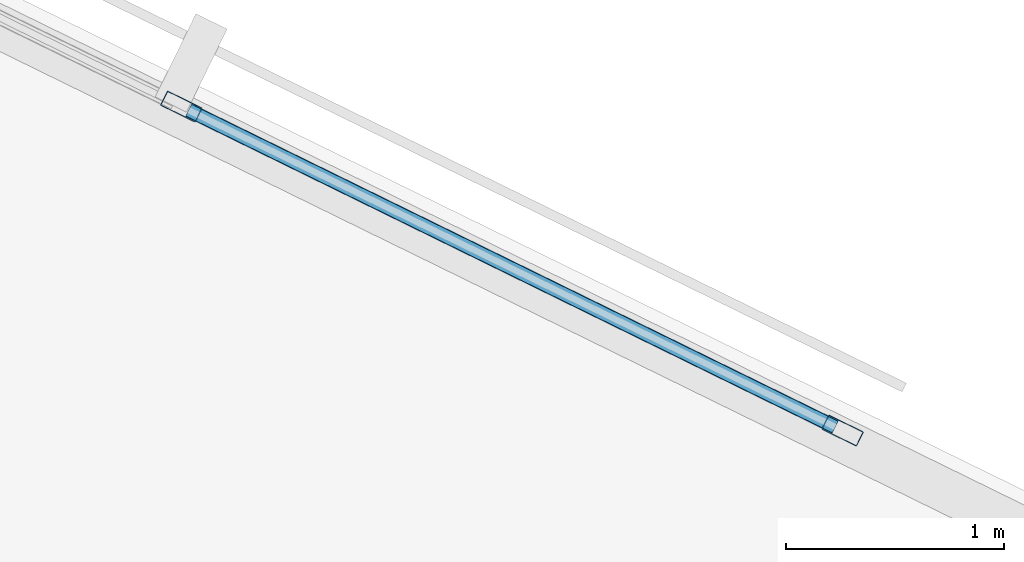
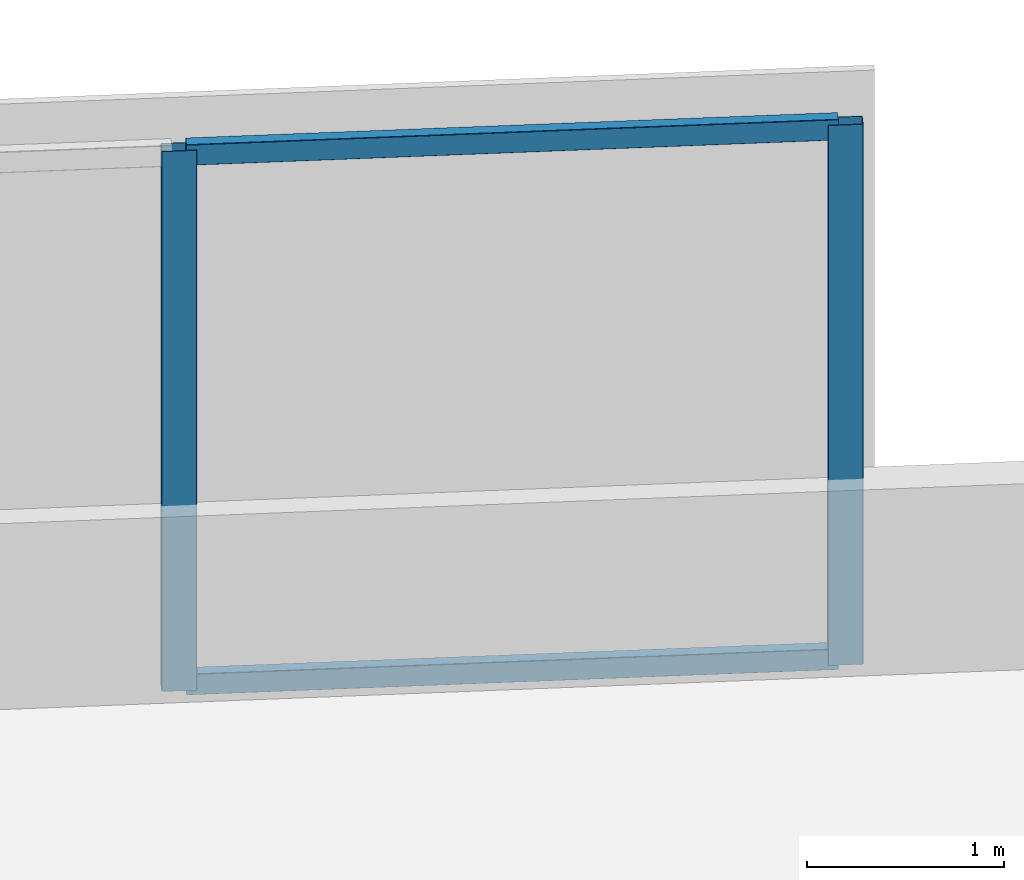
# One storey, part 2 of 19: 4 members, 1 element without a shape of its own.
"""IFC4 building model written with IfcOpenShell, lengths in metres."""

from ifc_helpers import new_model, si_unit, direction, frame, origin, origin_2d, place, context, subcontext, project, spatial, hollow_rectangle, extrude, material, material_profile, profile_set, type_object, element, aggregate, save


model = new_model("IFC4")

# Units and contexts
model_context = context("Model", 3, precision=1e-05, world=origin(), true_north=direction((0.0, 1.0)))
body_context = subcontext(model_context, "Body", "Model", "MODEL_VIEW")
ifc_project = project(units=[si_unit("LENGTHUNIT", "METRE"), si_unit("AREAUNIT", "SQUARE_METRE"), si_unit("VOLUMEUNIT", "CUBIC_METRE"), si_unit("PLANEANGLEUNIT", "RADIAN"), si_unit("MASSUNIT", "GRAM", prefix="KILO")], contexts=[model_context])

# Site, building, storey
site_placement = place(None, origin())
site = spatial("IfcSite", under=ifc_project, at=site_placement, CompositionType="ELEMENT")
building_placement = place(site_placement, origin())
building = spatial("IfcBuilding", under=site, at=building_placement, Name="Narakoshi Arena Tower", CompositionType="ELEMENT")
storey_placement = place(building_placement, frame((0.0, 0.0, 117.300048828125)))
storey = spatial("IfcBuildingStorey", under=building, at=storey_placement, Name="L31", CompositionType="ELEMENT", Elevation=117.300048828125)

# Curtain wall, members
ifc_material = material(Name="Anodised bronze aluminium 6063-T6", Category="aluminium")
curtain_wall_type = type_object("IfcCurtainWallType", Name="CW-HYP-LOW", PredefinedType="NOTDEFINED", material=ifc_material)
curtain_wall_placement = place(storey_placement, origin())
curtain_wall = element("IfcCurtainWall", 1, at=curtain_wall_placement, inside=storey, type_object=curtain_wall_type, Name="L31 Folded Hypotenuse Curtain Wall 2-1", PredefinedType="NOTDEFINED")
ifc_material_profile_1 = material_profile(ifc_material, hollow_rectangle(XDim=0.074951171875, YDim=0.179931640625, WallThickness=0.00390625, OuterFilletRadius=0.0048828125, at=origin_2d()), Name="MUL180x75x4")
ifc_profile_set_1 = profile_set([ifc_material_profile_1], Name="Anodised bronze aluminium 6063-T6")
member_type_1 = type_object("IfcMemberType", Name="MEM-MUL-180", PredefinedType="MULLION", material=ifc_profile_set_1)
member_1_placement = place(storey_placement, frame((87.598876953125, 62.51513671875, 0.0), z_axis=(0.0, 0.0, 1.0), x_axis=(-0.440004510198, -0.89799556291, 0.0)))
member_1 = element("IfcMember", 2, at=member_1_placement, type_object=member_type_1, Name="CW-01 mullion 1", PredefinedType="MULLION", context=body_context, shape_type="SweptSolid", body=[
    extrude(hollow_rectangle(XDim=0.074951171875, YDim=0.179931640625, WallThickness=0.00390625, OuterFilletRadius=0.0048828125, at=origin_2d()), origin(), (0.0, 0.0, 1.0), 3.33984375),
])
member_2_placement = place(storey_placement, frame((84.559326171875, 64.00439453125, 0.0), z_axis=(0.0, 0.0, 1.0), x_axis=(-0.440004510198, -0.89799556291, 0.0)))
member_2 = element("IfcMember", 3, at=member_2_placement, type_object=member_type_1, Name="CW-01 mullion 2", PredefinedType="MULLION", context=body_context, shape_type="SweptSolid", body=[
    extrude(hollow_rectangle(XDim=0.074951171875, YDim=0.179931640625, WallThickness=0.00390625, OuterFilletRadius=0.0048828125, at=origin_2d()), origin(), (0.0, 0.0, 1.0), 3.33984375),
])
ifc_material_profile_2 = material_profile(ifc_material, hollow_rectangle(XDim=0.06494140625, YDim=0.1298828125, WallThickness=0.00390625, OuterFilletRadius=0.0048828125, at=origin_2d()), Name="TRN130x65x4")
ifc_profile_set_2 = profile_set([ifc_material_profile_2], Name="Anodised bronze aluminium 6063-T6")
member_type_2 = type_object("IfcMemberType", Name="MEM-TRN-130", PredefinedType="USERDEFINED", material=ifc_profile_set_2)
member_3_placement = place(storey_placement, frame((87.565185546875, 62.531494140625, 0.032470703125), z_axis=(-0.897968733038, 0.44005926247, 0.0), x_axis=(-0.44005926247, -0.897968733038, 0.0)))
member_3 = element("IfcMember", 4, at=member_3_placement, type_object=member_type_2, Name="CW-01 transom 1.1", ObjectType="TRANSOM", PredefinedType="USERDEFINED", context=body_context, shape_type="SweptSolid", body=[
    extrude(hollow_rectangle(XDim=0.06494140625, YDim=0.1298828125, WallThickness=0.00390625, OuterFilletRadius=0.0048828125, at=origin_2d()), origin(), (0.0, 0.0, 1.0), 3.309814453125),
])
member_4_placement = place(storey_placement, frame((87.565185546875, 62.531494140625, 3.307373046875), z_axis=(-0.897968733038, 0.44005926247, 0.0), x_axis=(-0.44005926247, -0.897968733038, 0.0)))
member_4 = element("IfcMember", 5, at=member_4_placement, type_object=member_type_2, Name="CW-01 transom 1.2", ObjectType="TRANSOM", PredefinedType="USERDEFINED", context=body_context, shape_type="SweptSolid", body=[
    extrude(hollow_rectangle(XDim=0.06494140625, YDim=0.1298828125, WallThickness=0.00390625, OuterFilletRadius=0.0048828125, at=origin_2d()), origin(), (0.0, 0.0, 1.0), 3.309814453125),
])
aggregate(curtain_wall, [member_1, member_2, member_3, member_4])

save(model, "model.ifc")
